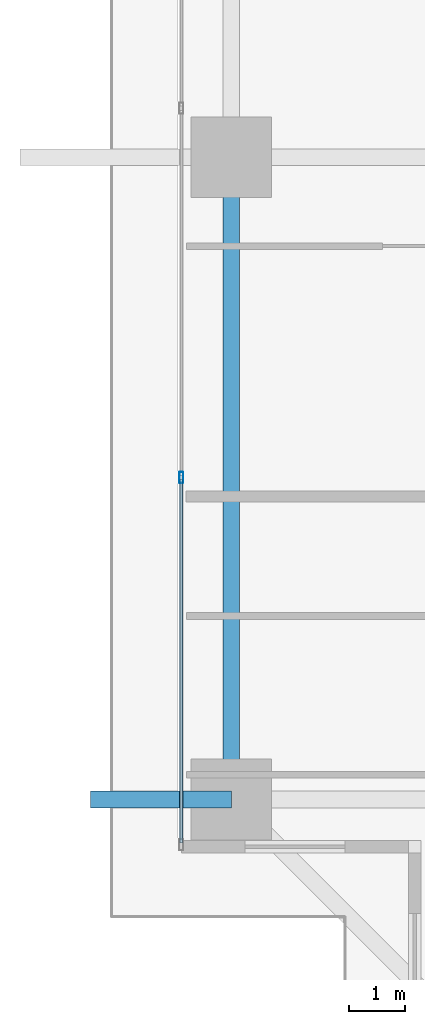
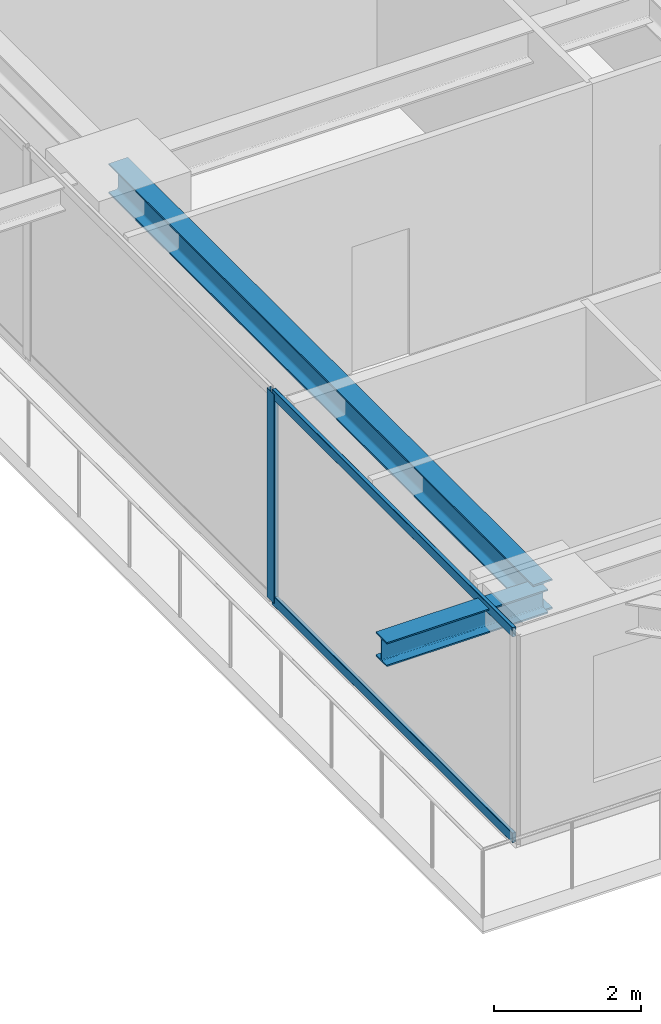
# One storey, part 3 of 38: 3 members, 2 beams, 1 element without a shape of its own.
"""IFC4 building model written with IfcOpenShell, lengths in metres."""

from ifc_helpers import new_model, si_unit, direction, frame, origin, origin_2d, place, context, subcontext, project, spatial, hollow_rectangle, i_section, extrude, source, transform, mapped, material, layer, layer_set, material_profile, profile_set, type_object, element, aggregate, save


model = new_model("IFC4")

# Units and contexts
model_context = context("Model", 3, precision=1e-05, world=origin(), true_north=direction((0.0, 1.0)))
body_context = subcontext(model_context, "Body", "Model", "MODEL_VIEW")
ifc_project = project(units=[si_unit("LENGTHUNIT", "METRE"), si_unit("AREAUNIT", "SQUARE_METRE"), si_unit("VOLUMEUNIT", "CUBIC_METRE"), si_unit("PLANEANGLEUNIT", "RADIAN"), si_unit("MASSUNIT", "GRAM", prefix="KILO")], contexts=[model_context])

# Site, building, storey
site_placement = place(None, origin())
site = spatial("IfcSite", under=ifc_project, at=site_placement, CompositionType="ELEMENT")
building_placement = place(site_placement, origin())
building = spatial("IfcBuilding", under=site, at=building_placement, Name="Serunith Strait Residences", CompositionType="ELEMENT")
storey_placement = place(building_placement, frame((0.0, 0.0, 37.949951171875)))
storey = spatial("IfcBuildingStorey", under=building, at=storey_placement, Name="L08", CompositionType="ELEMENT", Elevation=37.949951171875)

# Beams
ifc_material_1 = material(Name="Steel S355J2", Category="steel")
ifc_material_profile_1 = material_profile(ifc_material_1, i_section(OverallWidth=0.300048828125, OverallDepth=0.5, WebThickness=0.014404296875, FlangeThickness=0.028076171875, FilletRadius=0.027099609375, at=origin_2d()), Name="HEB 500")
ifc_profile_set_1 = profile_set([ifc_material_profile_1], Name="Steel S355J2")
beam_type_1 = type_object("IfcBeamType", Name="BM-HEB500", PredefinedType="BEAM", material=ifc_profile_set_1)
shared_shape_1 = source(origin(), body_context, "Body", "SweptSolid", [
    extrude(i_section(OverallWidth=0.300048828125, OverallDepth=0.5, WebThickness=0.014404296875, FlangeThickness=0.028076171875, FilletRadius=0.027099609375, at=origin_2d()), origin(), (0.0, 0.0, 1.0), 11.550048828125),
])
beam_1_placement = place(storey_placement, frame((6.89990234375, 21.0, 3.237060546875), z_axis=(0.0, -1.0, 0.0), x_axis=(1.0, 0.0, 0.0)))
element("IfcBeam", 1, at=beam_1_placement, inside=storey, type_object=beam_type_1, Name="L08 Perimeter Ring Beam 15", PredefinedType="BEAM", context=body_context, shape_type="MappedRepresentation", body=[
    mapped(shared_shape_1, transform((0.0, 0.0, 0.0), scale=1.0)),
])
ifc_material_profile_2 = material_profile(ifc_material_1, i_section(OverallWidth=0.300048828125, OverallDepth=0.39990234375, WebThickness=0.013427734375, FlangeThickness=0.02392578125, FilletRadius=0.027099609375, at=origin_2d()), Name="HEB 400")
ifc_profile_set_2 = profile_set([ifc_material_profile_2], Name="Steel S355J2")
beam_type_2 = type_object("IfcBeamType", Name="BM-HEB400", PredefinedType="BEAM", material=ifc_profile_set_2)
shared_shape_2 = source(origin(), body_context, "Body", "SweptSolid", [
    extrude(i_section(OverallWidth=0.300048828125, OverallDepth=0.39990234375, WebThickness=0.013427734375, FlangeThickness=0.02392578125, FilletRadius=0.027099609375, at=origin_2d()), origin(), (0.0, 0.0, 1.0), 2.535888671875),
])
beam_2_placement = place(storey_placement, frame((6.89990234375, 9.449951171875, 3.257080078125), z_axis=(-1.0, 0.0, 0.0), x_axis=(0.0, -1.0, 0.0)))
element("IfcBeam", 2, at=beam_2_placement, inside=storey, type_object=beam_type_2, Name="L09 Cantilevered Balcony Rib TC-W1", PredefinedType="BEAM", context=body_context, shape_type="MappedRepresentation", body=[
    mapped(shared_shape_2, transform((0.0, 0.0, 0.0), scale=1.0)),
])

# Curtain wall, members
ifc_material_2 = material(Name="Pale-Champagne Anodised Aluminium", Category="aluminium")
ifc_layer = layer(ifc_material_2, 0.199951171875, Name="Pale-Champagne Anodised Aluminium")
ifc_layer_set = layer_set([ifc_layer], Name="Pale-Champagne Anodised Aluminium")
curtain_wall_type = type_object("IfcCurtainWallType", Name="CW-SYS1", PredefinedType="NOTDEFINED", material=ifc_layer_set)
curtain_wall_placement = place(storey_placement, origin())
curtain_wall = element("IfcCurtainWall", 3, at=curtain_wall_placement, inside=storey, type_object=curtain_wall_type, Name="L08 W Unitised Fritted Curtain Wall", PredefinedType="NOTDEFINED")
ifc_material_profile_3 = material_profile(ifc_material_2, hollow_rectangle(XDim=0.070068359375, YDim=0.199951171875, WallThickness=0.00390625, InnerFilletRadius=0.006103515625, OuterFilletRadius=0.010009765625, at=origin_2d()), Name="ALU 200x70x4")
ifc_profile_set_3 = profile_set([ifc_material_profile_3], Name="Pale-Champagne Anodised Aluminium")
member_type_1 = type_object("IfcMemberType", Name="CW-SYS1-MULL", PredefinedType="MULLION", material=ifc_profile_set_3)
shared_shape_3 = source(origin(), body_context, "Body", "SweptSolid", [
    extrude(hollow_rectangle(XDim=0.070068359375, YDim=0.199951171875, WallThickness=0.00390625, InnerFilletRadius=0.006103515625, OuterFilletRadius=0.010009765625, at=origin_2d()), origin(), (0.0, 0.0, 1.0), 3.47509765625),
])
member_1_placement = place(storey_placement, frame((6.0, 15.239990234375, 0.0), z_axis=(0.0, 0.0, 1.0), x_axis=(1.0, 0.0, 0.0)))
member_1 = element("IfcMember", 4, at=member_1_placement, type_object=member_type_1, Name="CW-1 mullion 5", PredefinedType="MULLION", context=body_context, shape_type="MappedRepresentation", body=[
    mapped(shared_shape_3, transform((0.0, 0.0, 0.0), scale=1.0)),
])
ifc_material_profile_4 = material_profile(ifc_material_2, hollow_rectangle(XDim=0.06005859375, YDim=0.159912109375, WallThickness=0.00341796875, InnerFilletRadius=0.00537109375, OuterFilletRadius=0.0087890625, at=origin_2d()), Name="ALU 160x60x3.5")
ifc_profile_set_4 = profile_set([ifc_material_profile_4], Name="Pale-Champagne Anodised Aluminium")
member_type_2 = type_object("IfcMemberType", Name="CW-SYS1-TRAN", PredefinedType="USERDEFINED", material=ifc_profile_set_4)
shared_shape_4 = source(origin(), body_context, "Body", "SweptSolid", [
    extrude(hollow_rectangle(XDim=0.06005859375, YDim=0.159912109375, WallThickness=0.00341796875, InnerFilletRadius=0.00537109375, OuterFilletRadius=0.0087890625, at=origin_2d()), origin(), (0.0, 0.0, 1.0), 6.53515625),
])
member_2_placement = place(storey_placement, frame((6.0, 15.205078125, 0.030029296875), z_axis=(0.0, -1.0, 0.0), x_axis=(1.0, 0.0, 0.0)))
member_2 = element("IfcMember", 5, at=member_2_placement, type_object=member_type_2, Name="CW-1 transom 5.1", ObjectType="TRANSOM", PredefinedType="USERDEFINED", context=body_context, shape_type="MappedRepresentation", body=[
    mapped(shared_shape_4, transform((0.0, 0.0, 0.0), scale=1.0)),
])
member_3_placement = place(storey_placement, frame((6.0, 15.205078125, 3.445068359375), z_axis=(0.0, -1.0, 0.0), x_axis=(1.0, 0.0, 0.0)))
member_3 = element("IfcMember", 6, at=member_3_placement, type_object=member_type_2, Name="CW-1 transom 5.2", ObjectType="TRANSOM", PredefinedType="USERDEFINED", context=body_context, shape_type="MappedRepresentation", body=[
    mapped(shared_shape_4, transform((0.0, 0.0, 0.0), scale=1.0)),
])
aggregate(curtain_wall, [member_1, member_2, member_3])

save(model, "model.ifc")
